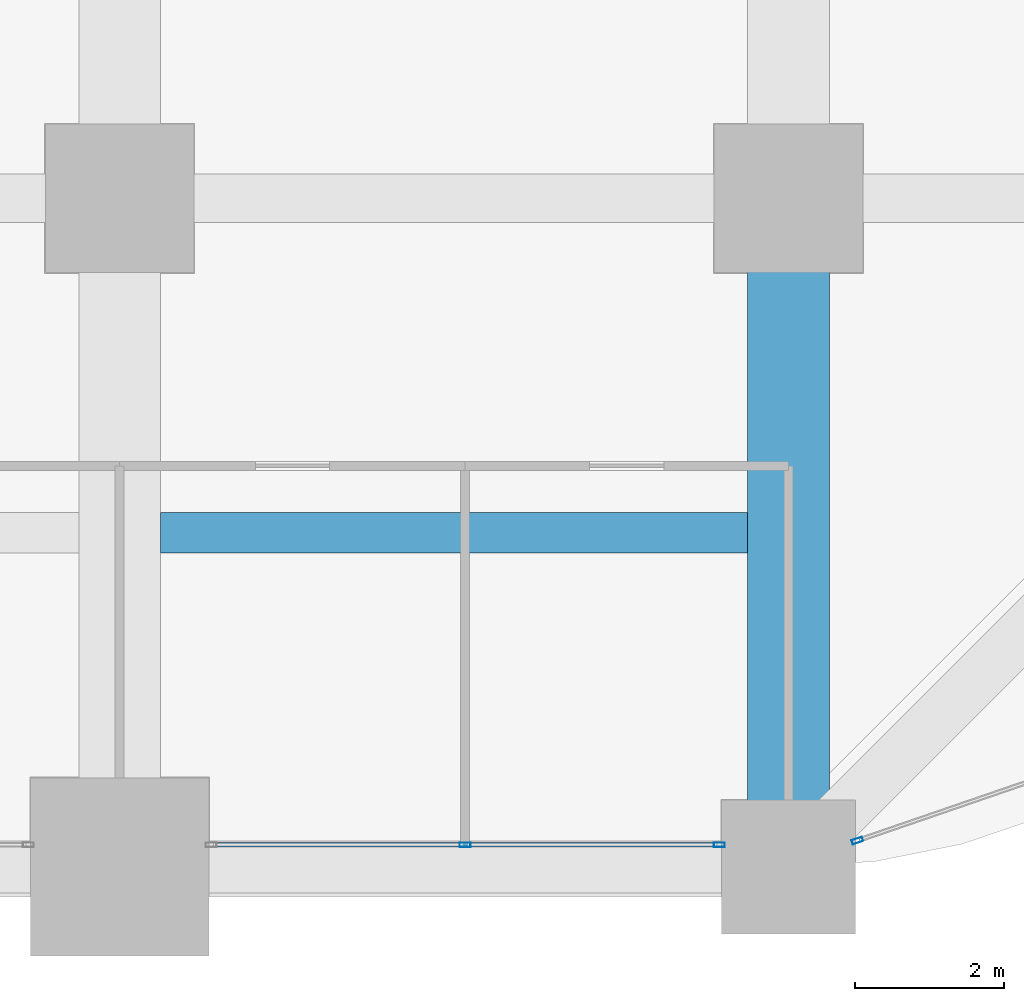
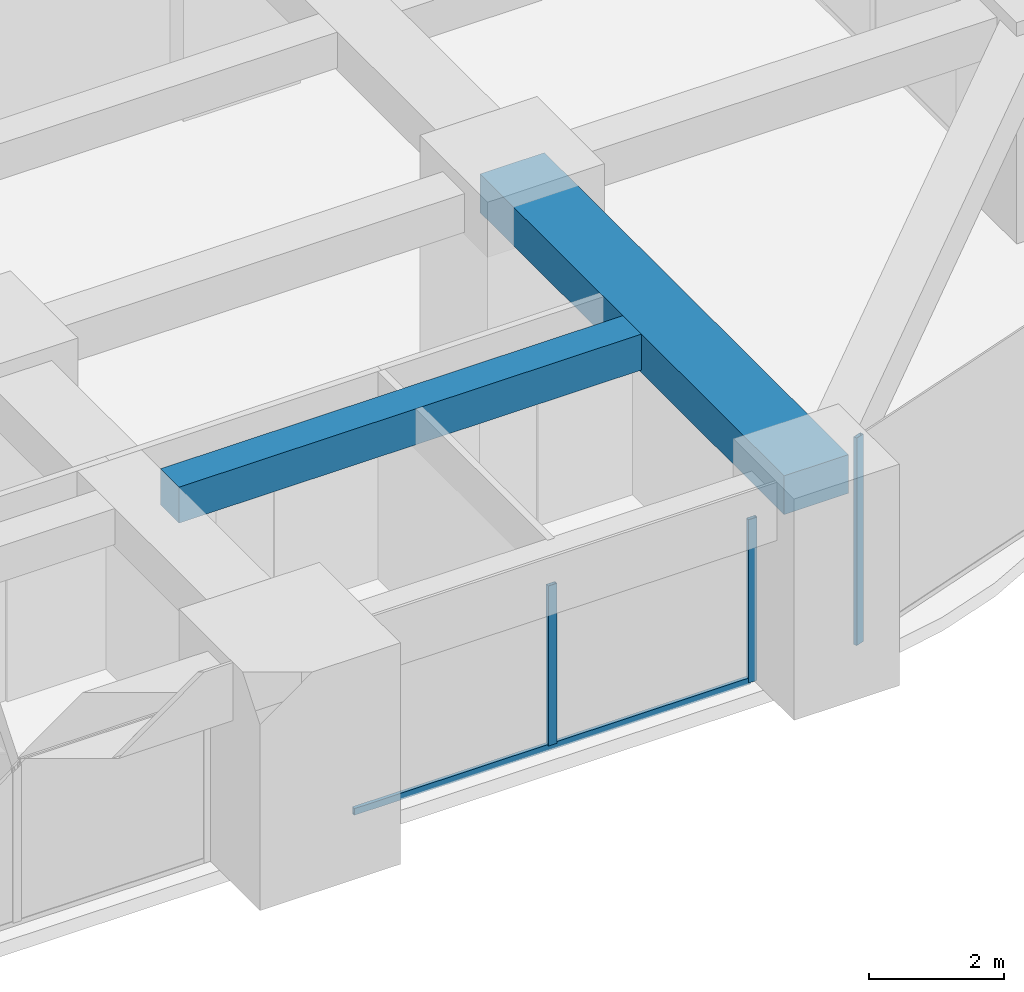
# One storey, part 16 of 41: 4 members, 2 beams, 2 elements without a shape of their own.
"""IFC4 building model written with IfcOpenShell, lengths in metres."""

from ifc_helpers import new_model, si_unit, direction, frame, origin, origin_2d, place, context, subcontext, project, spatial, rectangle, hollow_rectangle, extrude, material, material_profile, profile_set, type_object, element, aggregate, save


model = new_model("IFC4")

# Units and contexts
model_context = context("Model", 3, precision=1e-05, world=origin(), true_north=direction((0.0, 1.0)))
body_context = subcontext(model_context, "Body", "Model", "MODEL_VIEW")
ifc_project = project(units=[si_unit("LENGTHUNIT", "METRE"), si_unit("AREAUNIT", "SQUARE_METRE"), si_unit("VOLUMEUNIT", "CUBIC_METRE"), si_unit("PLANEANGLEUNIT", "RADIAN"), si_unit("MASSUNIT", "GRAM", prefix="KILO")], contexts=[model_context])

# Site, building, storey
site_placement = place(None, origin())
site = spatial("IfcSite", under=ifc_project, at=site_placement, CompositionType="ELEMENT")
building_placement = place(site_placement, origin())
building = spatial("IfcBuilding", under=site, at=building_placement, Name="Zorevar Civic Tower", CompositionType="ELEMENT")
storey_placement = place(building_placement, frame((0.0, 0.0, 97.0)))
storey = spatial("IfcBuildingStorey", under=building, at=storey_placement, Name="L23", CompositionType="ELEMENT", Elevation=97.0)

# Beams
ifc_material_1 = material(Name="Concrete C50/60", Category="concrete")
ifc_material_profile_1 = material_profile(ifc_material_1, rectangle(XDim=1.10009765625, YDim=0.699951171875, at=origin_2d()), Name="RC 1100x700")
ifc_profile_set_1 = profile_set([ifc_material_profile_1], Name="Concrete C50/60")
beam_type_1 = type_object("IfcBeamType", Name="Beam RC 1100x700", PredefinedType="BEAM", material=ifc_profile_set_1)
beam_1_placement = place(storey_placement, frame((54.0, 0.0, 3.39990234375), z_axis=(0.0, 1.0, 0.0), x_axis=(-1.0, 0.0, 0.0)))
element("IfcBeam", 1, at=beam_1_placement, inside=storey, type_object=beam_type_1, Name="Girder L24", PredefinedType="BEAM", context=body_context, shape_type="SweptSolid", body=[
    extrude(rectangle(XDim=1.10009765625, YDim=0.699951171875, at=origin_2d()), origin(), (0.0, 0.0, 1.0), 9.0),
])
ifc_material_2 = material(Name="Concrete C50/60", Category="concrete")
ifc_material_profile_2 = material_profile(ifc_material_2, rectangle(XDim=0.550048828125, YDim=0.64990234375, at=origin_2d()), Name="RC 550x650")
ifc_profile_set_2 = profile_set([ifc_material_profile_2], Name="Concrete C50/60")
beam_type_2 = type_object("IfcBeamType", Name="Beam RC 550x650", PredefinedType="BEAM", material=ifc_profile_set_2)
beam_2_placement = place(storey_placement, frame((45.550048828125, 4.5, 3.425048828125), z_axis=(1.0, 0.0, 0.0), x_axis=(0.0, 1.0, 0.0)))
element("IfcBeam", 2, at=beam_2_placement, inside=storey, type_object=beam_type_2, Name="Secondary beam L24", PredefinedType="BEAM", context=body_context, shape_type="SweptSolid", body=[
    extrude(rectangle(XDim=0.550048828125, YDim=0.64990234375, at=origin_2d()), origin(), (0.0, 0.0, 1.0), 7.89990234375),
])

# Curtain wall, members
ifc_material_3 = material(Name="Dark grey solar-control glass in black aluminium frame", Category="aluminium")
curtain_wall_type = type_object("IfcCurtainWallType", Name="Curtain wall CW3 mid zone", PredefinedType="NOTDEFINED", material=ifc_material_3)
curtain_wall_1_placement = place(storey_placement, origin())
curtain_wall_1 = element("IfcCurtainWall", 3, at=curtain_wall_1_placement, inside=storey, type_object=curtain_wall_type, Name="CW3 L23", PredefinedType="NOTDEFINED")
ifc_material_4 = material(Name="Aluminium, black anodised", Category="aluminium")
ifc_material_profile_3 = material_profile(ifc_material_4, hollow_rectangle(XDim=0.06005859375, YDim=0.14990234375, WallThickness=0.00390625, at=origin_2d()), Name="AL 150x60x4")
ifc_profile_set_3 = profile_set([ifc_material_profile_3], Name="Aluminium, black anodised")
member_type_1 = type_object("IfcMemberType", Name="CW3 mullion AL 150x60x4", PredefinedType="MULLION", material=ifc_profile_set_3)
member_1_placement = place(storey_placement, frame((49.64990234375, 0.300048828125, 0.06005859375), z_axis=(0.0, 0.0, 1.0), x_axis=(0.0, 1.0, 0.0)))
member_1 = element("IfcMember", 4, at=member_1_placement, type_object=member_type_1, Name="CW3 mullion 2", PredefinedType="MULLION", context=body_context, shape_type="SweptSolid", body=[
    extrude(hollow_rectangle(XDim=0.06005859375, YDim=0.14990234375, WallThickness=0.00390625, at=origin_2d()), origin(), (0.0, 0.0, 1.0), 2.889892578125),
])
member_2_placement = place(storey_placement, frame((53.070068359375, 0.300048828125, 0.0), z_axis=(0.0, 0.0, 1.0), x_axis=(0.0, 1.0, 0.0)))
member_2 = element("IfcMember", 5, at=member_2_placement, type_object=member_type_1, Name="CW3 mullion 3", PredefinedType="MULLION", context=body_context, shape_type="SweptSolid", body=[
    extrude(hollow_rectangle(XDim=0.06005859375, YDim=0.14990234375, WallThickness=0.00390625, at=origin_2d()), origin(), (0.0, 0.0, 1.0), 2.949951171875),
])

# Curtain wall, member
curtain_wall_2_placement = place(storey_placement, origin())
curtain_wall_2 = element("IfcCurtainWall", 6, at=curtain_wall_2_placement, inside=storey, type_object=curtain_wall_type, Name="CW3 L23", PredefinedType="NOTDEFINED")
member_3_placement = place(storey_placement, frame((54.928466796875, 0.3564453125, 0.0), z_axis=(0.0, 0.0, 1.0), x_axis=(-0.324878466857, 0.945755772794, 0.0)))
member_3 = element("IfcMember", 7, at=member_3_placement, type_object=member_type_1, Name="CW3 mullion 1", PredefinedType="MULLION", context=body_context, shape_type="SweptSolid", body=[
    extrude(hollow_rectangle(XDim=0.06005859375, YDim=0.14990234375, WallThickness=0.00390625, at=origin_2d()), origin(), (0.0, 0.0, 1.0), 3.75),
])
aggregate(curtain_wall_2, [member_3])

# Member
ifc_material_5 = material(Name="Aluminium, black anodised", Category="aluminium")
ifc_material_profile_4 = material_profile(ifc_material_5, hollow_rectangle(XDim=0.06005859375, YDim=0.1201171875, WallThickness=0.0029296875, at=origin_2d()), Name="AL 120x60x3")
ifc_profile_set_4 = profile_set([ifc_material_profile_4], Name="Aluminium, black anodised")
member_type_2 = type_object("IfcMemberType", Name="CW3 transom AL 120x60x3", PredefinedType="USERDEFINED", material=ifc_profile_set_4)
member_4_placement = place(storey_placement, frame((46.260009765625, 0.300048828125, 0.030029296875), z_axis=(1.0, 0.0, 0.0), x_axis=(0.0, 1.0, 0.0)))
member_4 = element("IfcMember", 8, at=member_4_placement, type_object=member_type_2, Name="CW3 sill transom", ObjectType="TRANSOM", PredefinedType="USERDEFINED", context=body_context, shape_type="SweptSolid", body=[
    extrude(hollow_rectangle(XDim=0.06005859375, YDim=0.1201171875, WallThickness=0.0029296875, at=origin_2d()), origin(), (0.0, 0.0, 1.0), 6.780029296875),
])

aggregate(curtain_wall_1, [member_1, member_2, member_4])

save(model, "model.ifc")
